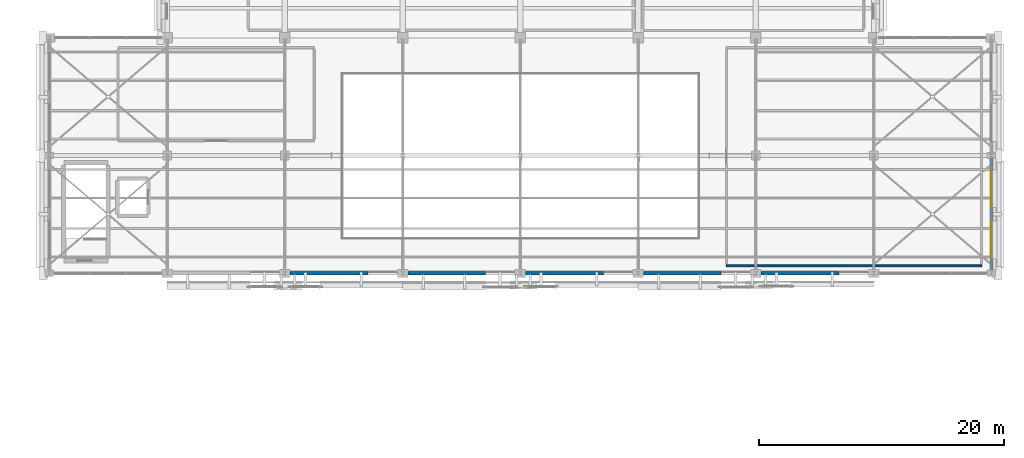
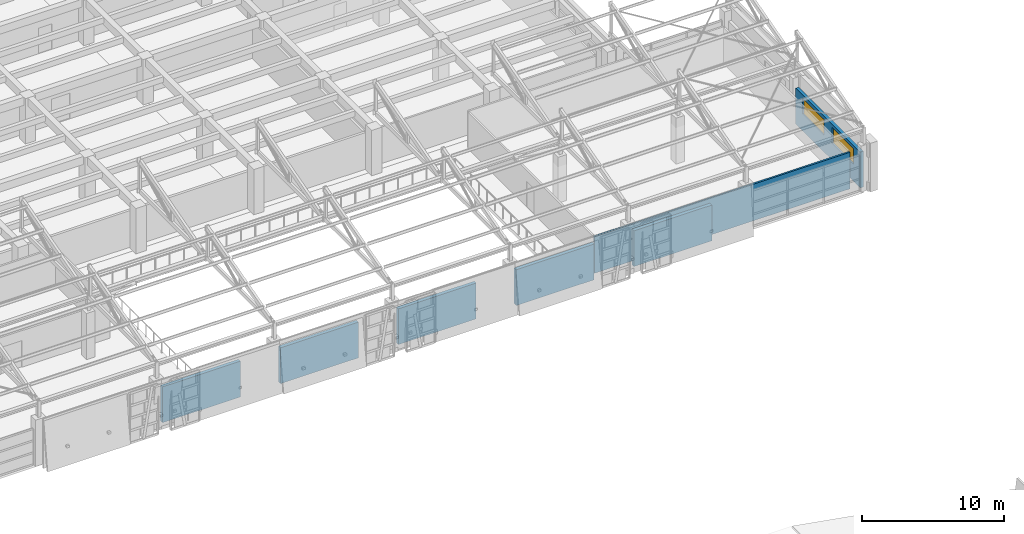
# One storey, part 47 of 58: 7 walls, 2 windows, 2 openings.
"""IFC4 building model written with IfcOpenShell, lengths in metres."""

from ifc_helpers import new_model, si_unit, direction, frame, frame_2d, origin, place, context, subcontext, project, spatial, rectangle, extrude, material, layer, layer_set, type_object, element, fill, save


model = new_model("IFC4")

# Units and contexts
model_context = context("Model", 3, precision=1e-05, world=origin(), true_north=direction((0.0, 1.0)))
body_context = subcontext(model_context, "Body", "Model", "MODEL_VIEW")
ifc_project = project(units=[si_unit("LENGTHUNIT", "METRE"), si_unit("AREAUNIT", "SQUARE_METRE"), si_unit("VOLUMEUNIT", "CUBIC_METRE"), si_unit("PLANEANGLEUNIT", "RADIAN"), si_unit("MASSUNIT", "GRAM", prefix="KILO")], contexts=[model_context])

# Site, building, storey
site_placement = place(None, origin())
site = spatial("IfcSite", under=ifc_project, at=site_placement, CompositionType="ELEMENT")
building_placement = place(site_placement, origin())
building = spatial("IfcBuilding", under=site, at=building_placement, Name="Bempovik Park Faculty of Sciences", CompositionType="ELEMENT")
storey_placement = place(building_placement, frame((0.0, 0.0, 18.300048828125)))
storey = spatial("IfcBuildingStorey", under=building, at=storey_placement, Name="L04", CompositionType="ELEMENT", Elevation=18.300048828125)

# Walls
ifc_material_1 = material(Name="Precast concrete C40/50", Category="concrete")
ifc_layer_1 = layer(ifc_material_1, 0.280029296875)
ifc_layer_set_1 = layer_set([ifc_layer_1], Name="Precast concrete C40/50")
wall_type_1 = type_object("IfcWallType", Name="W-25 Wall 280mm", PredefinedType="SOLIDWALL", material=ifc_layer_set_1)
wall_1_placement = place(storey_placement, frame((70.027099609375, 67.800048828125, 0.0), z_axis=(0.0, 0.0, 1.0), x_axis=(1.0, 0.0, 0.0)))
element("IfcWall", 1, at=wall_1_placement, inside=storey, type_object=wall_type_1, Name="L04 Crystal Backup Wall EW-CRYS-L04-9519", PredefinedType="SOLIDWALL", context=body_context, shape_type="SweptSolid", body=[
    extrude(rectangle(XDim=6.341796875, YDim=0.280029296875, at=frame_2d((3.1708984375, 0.0))), origin(), (0.0, 0.0, 1.0), 3.079833984375),
])
for number, where, z_axis, x_axis, name in (
    (2, (79.626953125, 67.800048828125, 0.0), (0.0, 0.0, 1.0), (1.0, 0.0, 0.0), "L04 Crystal Backup Wall EW-CRYS-L04-9544"),
    (3, (89.22705078125, 67.800048828125, 0.0), (0.0, 0.0, 1.0), (1.0, 0.0, 0.0), "L04 Crystal Backup Wall EW-CRYS-L04-9567"),
    (4, (98.826904296875, 67.800048828125, 0.0), (0.0, 0.0, 1.0), (1.0, 0.0, 0.0), "L04 Crystal Backup Wall EW-CRYS-L04-9592"),
    (5, (108.427001953125, 67.800048828125, 0.0), (0.0, 0.0, 1.0), (1.0, 0.0, 0.0), "L04 Crystal Backup Wall EW-CRYS-L04-9615"),
):
    element("IfcWall", number, at=place(storey_placement, frame(where, z_axis=z_axis, x_axis=x_axis)), inside=storey, type_object=wall_type_1, Name=name, PredefinedType="SOLIDWALL", context=body_context, shape_type="SweptSolid", body=[
        extrude(rectangle(XDim=6.342041015625, YDim=0.280029296875, at=frame_2d((3.1708984375, 0.0))), origin(), (0.0, 0.0, 1.0), 3.079833984375),
    ])
ifc_material_2 = material(Name="Gypsum acoustic stud assembly")
ifc_layer_2 = layer(ifc_material_2, 0.14990234375)
ifc_layer_set_2 = layer_set([ifc_layer_2], Name="Gypsum acoustic stud assembly")
wall_type_2 = type_object("IfcWallType", Name="W-42 Wall 150mm", PredefinedType="PARTITIONING", material=ifc_layer_set_2)
wall_2_placement = place(storey_placement, frame((105.60009765625, 68.39990234375, 0.0), z_axis=(0.0, 0.0, 1.0), x_axis=(1.0, 0.0, 0.0)))
element("IfcWall", 6, at=wall_2_placement, inside=storey, type_object=wall_type_2, Name="L04 Atrium Sawtooth East Seminar Gallery Partition South", PredefinedType="PARTITIONING", context=body_context, shape_type="SweptSolid", body=[
    extrude(rectangle(XDim=20.7998046875, YDim=0.14990234375, at=frame_2d((10.39990234375, 0.0))), origin(), (0.0, 0.0, 1.0), 3.14990234375),
])

# Wall, openings, windows
ifc_layer_3 = layer(ifc_material_1, 0.260009765625)
ifc_layer_set_3 = layer_set([ifc_layer_3], Name="Precast concrete C40/50")
wall_type_3 = type_object("IfcWallType", Name="W-54 Wall 260mm", PredefinedType="SOLIDWALL", material=ifc_layer_set_3)
wall_3_placement = place(storey_placement, frame((127.199951171875, 68.052001953125, 0.0), z_axis=(0.0, 0.0, 1.0), x_axis=(0.0, 1.0, 0.0)))
wall_3 = element("IfcWall", 7, at=wall_3_placement, inside=storey, type_object=wall_type_3, Name="L04 Classical Precast Facade Wall EW-L04-9887", PredefinedType="SOLIDWALL", context=body_context, shape_type="SweptSolid", body=[
    extrude(rectangle(XDim=9.095947265625, YDim=0.260009765625, at=frame_2d((4.5478515625, 0.0))), origin(), (0.0, 0.0, 1.0), 3.079833984375),
])
opening_1_placement = place(wall_3_placement, frame((0.955810546875, 0.0, 1.449951171875)))
opening_1 = element("IfcOpeningElement", 8, at=opening_1_placement, cuts=wall_3, Name="Opening WN-53", PredefinedType="OPENING", context=body_context, shape_type="SweptSolid", body=[
    extrude(rectangle(XDim=3.0, YDim=1.35009765625, at=frame_2d((1.5, 0.675048828125))), frame((0.0, 0.14013671875, 0.0), z_axis=(0.0, -1.0, 0.0), x_axis=(1.0, 0.0, 0.0)), (0.0, 0.0, 1.0), 0.280029296875),
])
opening_2_placement = place(wall_3_placement, frame((5.14013671875, 0.0, 1.449951171875)))
opening_2 = element("IfcOpeningElement", 9, at=opening_2_placement, cuts=wall_3, Name="Opening WN-53", PredefinedType="OPENING", context=body_context, shape_type="SweptSolid", body=[
    extrude(rectangle(XDim=3.0, YDim=1.35009765625, at=frame_2d((1.5, 0.675048828125))), frame((0.0, 0.14013671875, 0.0), z_axis=(0.0, -1.0, 0.0), x_axis=(1.0, 0.0, 0.0)), (0.0, 0.0, 1.0), 0.280029296875),
])
ifc_material_3 = material(Name="Tempered laminated low-E glass", Category="glass")
window_type = type_object("IfcWindowType", Name="WN-53 Window 3000x1350", PartitioningType="SINGLE_PANEL", PredefinedType="WINDOW", material=ifc_material_3)
window_1_placement = place(opening_1_placement, origin())
window_1 = element("IfcWindow", 10, at=window_1_placement, inside=storey, type_object=window_type, Name="L04 Window EW-L04-9887-1", OverallHeight=1.35009765625, OverallWidth=3.0, PartitioningType="SINGLE_PANEL", PredefinedType="WINDOW", context=body_context, shape_type="SweptSolid", body=[
    extrude(rectangle(XDim=3.0, YDim=1.35009765625, at=frame_2d((1.5, 0.675048828125))), frame((0.0, 0.030029296875, 0.0), z_axis=(0.0, -1.0, 0.0), x_axis=(1.0, 0.0, 0.0)), (0.0, 0.0, 1.0), 0.06005859375),
])
fill(opening_1, window_1)
window_2_placement = place(opening_2_placement, origin())
window_2 = element("IfcWindow", 11, at=window_2_placement, inside=storey, type_object=window_type, Name="L04 Window EW-L04-9887-2", OverallHeight=1.35009765625, OverallWidth=3.0, PartitioningType="SINGLE_PANEL", PredefinedType="WINDOW", context=body_context, shape_type="SweptSolid", body=[
    extrude(rectangle(XDim=3.0, YDim=1.35009765625, at=frame_2d((1.5, 0.675048828125))), frame((0.0, 0.030029296875, 0.0), z_axis=(0.0, -1.0, 0.0), x_axis=(1.0, 0.0, 0.0)), (0.0, 0.0, 1.0), 0.06005859375),
])
fill(opening_2, window_2)

save(model, "model.ifc")
